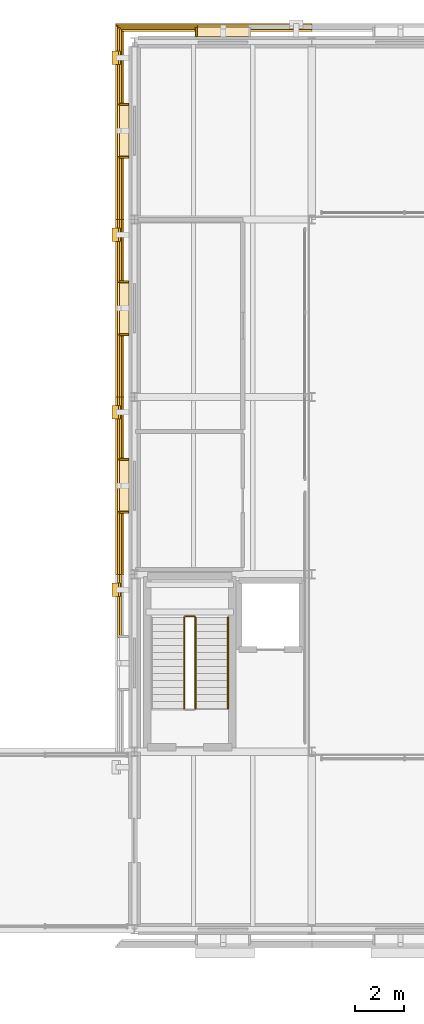
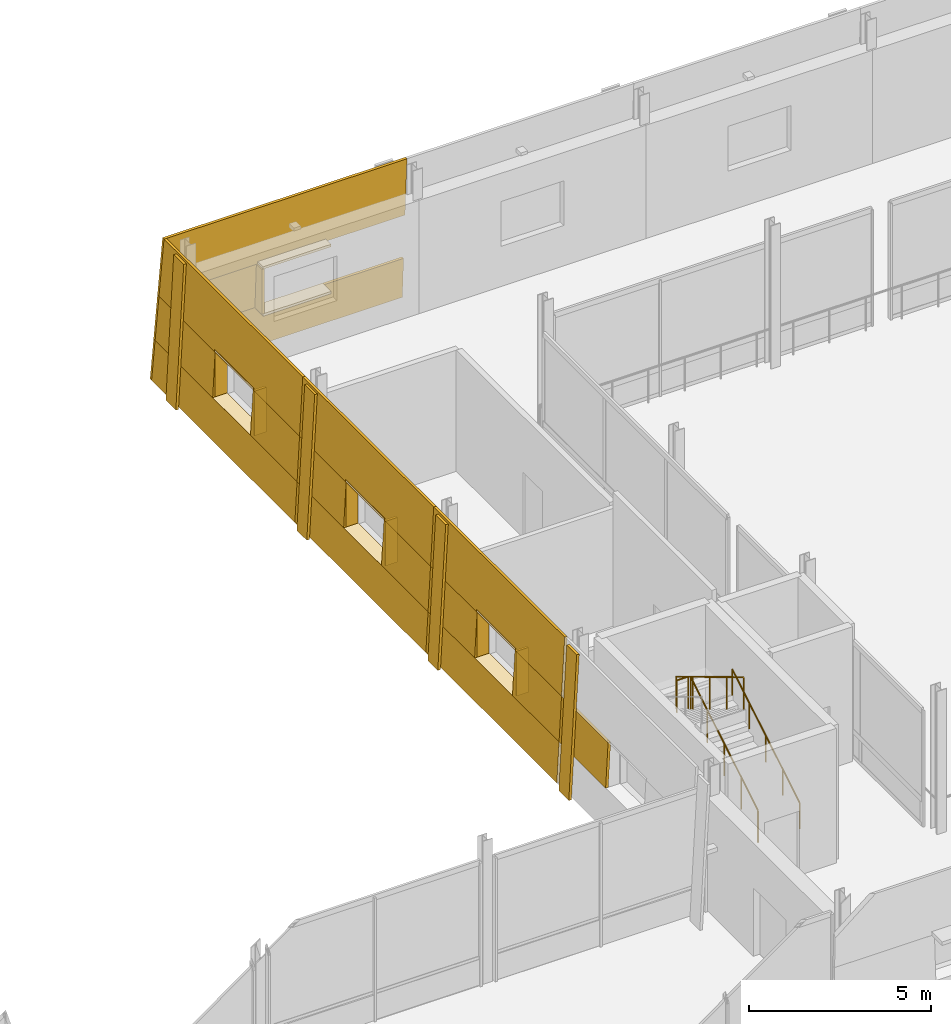
# One storey, part 115 of 121: 35 coverings, 4 railings.
"""IFC4 building model written with IfcOpenShell, lengths in metres."""

from ifc_helpers import new_model, si_unit, direction, frame, origin, origin_2d, place, context, subcontext, project, spatial, polyline, circle, outline, extrude, material, layer, layer_set, type_object, element, save


model = new_model("IFC4")

# Units and contexts
model_context = context("Model", 3, precision=1e-05, world=origin(), true_north=direction((0.0, 1.0)))
body_context = subcontext(model_context, "Body", "Model", "MODEL_VIEW")
ifc_project = project(units=[si_unit("LENGTHUNIT", "METRE"), si_unit("AREAUNIT", "SQUARE_METRE"), si_unit("VOLUMEUNIT", "CUBIC_METRE"), si_unit("PLANEANGLEUNIT", "RADIAN"), si_unit("MASSUNIT", "GRAM", prefix="KILO")], contexts=[model_context])

# Site, building, storey
site_placement = place(None, origin())
site = spatial("IfcSite", under=ifc_project, at=site_placement, CompositionType="ELEMENT")
building_placement = place(site_placement, origin())
building = spatial("IfcBuilding", under=site, at=building_placement, Name="Narikvali Park Central Library", CompositionType="ELEMENT")
storey_placement = place(building_placement, frame((0.0, 0.0, 5.39990234375)))
storey = spatial("IfcBuildingStorey", under=building, at=storey_placement, Name="L01", CompositionType="ELEMENT", Elevation=5.39990234375)

# Coverings
ifc_material_1 = material(Name="White Honed Limestone Cladding", Category="masonry")
ifc_layer_1 = layer(ifc_material_1, 0.0849609375, Name="White Honed Limestone Cladding")
ifc_layer_set_1 = layer_set([ifc_layer_1], Name="White Honed Limestone Cladding")
covering_type_1 = type_object("IfcCoveringType", Name="Battered White Limestone Facade Cladding Panel", PredefinedType="CLADDING", material=ifc_layer_set_1)
covering_1_placement = place(storey_placement, frame((129.60009765625, 115.95849609375, 0.0), z_axis=(0.0, 0.998646611858, 0.052009082137), x_axis=(-1.0, 0.0, 0.0)))
element("IfcCovering", 1, at=covering_1_placement, inside=storey, type_object=covering_type_1, Name="V3 L01 N Battered Limestone Spandrel B06", PredefinedType="CLADDING", context=body_context, shape_type="SweptSolid", body=[
    extrude(outline(polyline([(0.0, 0.0), (7.958740234375, 0.0), (7.88818359375, 1.3519273386791144), (0.0, 1.3519273386791144), (0.0, 0.0)])), origin(), (0.0, 0.0, -1.0), 0.0849609375),
])
covering_2_placement = place(storey_placement, frame((129.60009765625, 115.81005859375, 2.85009765625), z_axis=(0.0, 0.998646348793, 0.052014133104), x_axis=(-1.0, 0.0, 0.0)))
element("IfcCovering", 2, at=covering_2_placement, inside=storey, type_object=covering_type_1, Name="V3 L01 N Battered Limestone Lintel B06", PredefinedType="CLADDING", context=body_context, shape_type="SweptSolid", body=[
    extrude(outline(polyline([(0.0, 0.0), (7.81005859375, 0.0), (7.70849609375, 1.9525943035108284), (0.0, 1.9525943035108284), (0.0, 0.0)])), origin(), (0.0, 0.0, -1.0), 0.0849609375),
])
covering_3_placement = place(storey_placement, frame((124.9599609375, 115.88818359375, 1.35009765625), z_axis=(0.0, 0.998646416446, 0.05201283419), x_axis=(-1.0, 0.0, 0.0)))
element("IfcCovering", 3, at=covering_3_placement, inside=storey, type_object=covering_type_1, Name="V3 L01 N Battered Limestone Jamb Pier R B06", PredefinedType="CLADDING", context=body_context, shape_type="SweptSolid", body=[
    extrude(outline(polyline([(0.0, 0.0), (3.248046875, 0.0), (3.169921875, 1.5020331273394072), (0.0, 1.5020331273394072), (0.0, 0.0)])), origin(), (0.0, 0.0, -1.0), 0.0849609375),
])
covering_4_placement = place(storey_placement, frame((121.50146484375, 114.85009765625, 0.0), z_axis=(-0.998643804351, 0.0, 0.052062962182), x_axis=(0.0, -1.0, 0.0)))
element("IfcCovering", 4, at=covering_4_placement, inside=storey, type_object=covering_type_1, Name="V3 L01 W Classical Limestone Pilaster B01", PredefinedType="CLADDING", context=body_context, shape_type="SweptSolid", body=[
    extrude(outline(polyline([(0.0, 0.0), (0.550048828125, 0.0), (0.550048828125, 4.80656747401941), (0.0, 4.80656747401941), (0.0, 0.0)])), origin(), (0.0, 0.0, -1.0), 0.0849609375),
])
covering_5_placement = place(storey_placement, frame((121.641357421875, 115.87353515625, 0.0), z_axis=(-0.998637216249, 0.0, 0.052189178209), x_axis=(0.0, -1.0, 0.0)))
element("IfcCovering", 5, at=covering_5_placement, inside=storey, type_object=covering_type_1, Name="V3 L01 W Battered Limestone Spandrel B01", PredefinedType="CLADDING", context=body_context, shape_type="SweptSolid", body=[
    extrude(outline(polyline([(0.0, 0.0), (7.87353515625, 0.0), (7.87353515625, 1.3519400581934204), (0.0703125, 1.3519400581934204), (0.0, 0.0)])), origin(), (0.0, 0.0, -1.0), 0.0849609375),
])
covering_6_placement = place(storey_placement, frame((121.7900390625, 115.72509765625, 2.85009765625), z_axis=(-0.998646348793, 0.0, 0.052014133104), x_axis=(0.0, -1.0, 0.0)))
element("IfcCovering", 6, at=covering_6_placement, inside=storey, type_object=covering_type_1, Name="V3 L01 W Battered Limestone Lintel B01", PredefinedType="CLADDING", context=body_context, shape_type="SweptSolid", body=[
    extrude(outline(polyline([(0.0, 0.0), (7.72509765625, 0.0), (7.72509765625, 1.952594303510828), (0.101806640625, 1.952594303510828), (0.0, 0.0)])), origin(), (0.0, 0.0, -1.0), 0.0849609375),
])
covering_7_placement = place(storey_placement, frame((121.7119140625, 115.80322265625, 1.35009765625), z_axis=(-0.998646416446, 0.0, 0.05201283419), x_axis=(0.0, -1.0, 0.0)))
element("IfcCovering", 7, at=covering_7_placement, inside=storey, type_object=covering_type_1, Name="V3 L01 W Battered Limestone Jamb Pier L B01", PredefinedType="CLADDING", context=body_context, shape_type="SweptSolid", body=[
    extrude(outline(polyline([(0.0, 0.0), (3.163330078125, 0.0), (3.163330078125, 1.5020331273394074), (0.078125, 1.5020331273394074), (0.0, 0.0)])), origin(), (0.0, 0.0, -1.0), 0.0849609375),
])
covering_8_placement = place(storey_placement, frame((121.7119140625, 110.56005859375, 1.35009765625), z_axis=(-0.998646416446, 0.0, 0.05201283419), x_axis=(0.0, -1.0, 0.0)))
element("IfcCovering", 8, at=covering_8_placement, inside=storey, type_object=covering_type_1, Name="V3 L01 W Battered Limestone Jamb Pier R B01", PredefinedType="CLADDING", context=body_context, shape_type="SweptSolid", body=[
    extrude(outline(polyline([(0.0, 0.0), (2.56005859375, 0.0), (2.56005859375, 1.5020331273394072), (0.0, 1.5020331273394072), (0.0, 0.0)])), origin(), (0.0, 0.0, -1.0), 0.0849609375),
])
covering_9_placement = place(storey_placement, frame((121.50146484375, 107.64990234375, 0.0), z_axis=(-0.998643804351, 0.0, 0.052062962182), x_axis=(0.0, -1.0, 0.0)))
element("IfcCovering", 9, at=covering_9_placement, inside=storey, type_object=covering_type_1, Name="V3 L01 W Classical Limestone Pilaster B02", PredefinedType="CLADDING", context=body_context, shape_type="SweptSolid", body=[
    extrude(outline(polyline([(0.0, 0.0), (0.5498046875, 0.0), (0.5498046875, 4.806567474019411), (0.0, 4.806567474019411), (0.0, 0.0)])), origin(), (0.0, 0.0, -1.0), 0.0849609375),
])
covering_10_placement = place(storey_placement, frame((121.641357421875, 108.0, 0.0), z_axis=(-0.998637216249, 0.0, 0.052189178209), x_axis=(0.0, -1.0, 0.0)))
element("IfcCovering", 10, at=covering_10_placement, inside=storey, type_object=covering_type_1, Name="V3 L01 W Battered Limestone Spandrel B02", PredefinedType="CLADDING", context=body_context, shape_type="SweptSolid", body=[
    extrude(outline(polyline([(0.0, 0.0), (7.199951171875, 0.0), (7.199951171875, 1.3519400581934202), (0.0, 1.3519400581934202), (0.0, 0.0)])), origin(), (0.0, 0.0, -1.0), 0.0849609375),
])
covering_11_placement = place(storey_placement, frame((121.7900390625, 108.0, 2.85009765625), z_axis=(-0.998646348793, 0.0, 0.052014133104), x_axis=(0.0, -1.0, 0.0)))
element("IfcCovering", 11, at=covering_11_placement, inside=storey, type_object=covering_type_1, Name="V3 L01 W Battered Limestone Lintel B02", PredefinedType="CLADDING", context=body_context, shape_type="SweptSolid", body=[
    extrude(outline(polyline([(0.0, 0.0), (7.199951171875, 0.0), (7.199951171875, 1.9525943035108282), (0.0, 1.9525943035108282), (0.0, 0.0)])), origin(), (0.0, 0.0, -1.0), 0.0849609375),
])
for number, where, z_axis, x_axis, name in (
    (12, (121.7119140625, 108.0, 1.35009765625), (-0.998646416446, 0.0, 0.05201283419), (0.0, -1.0, 0.0), "V3 L01 W Battered Limestone Jamb Pier L B02"),
    (13, (121.7119140625, 103.360107421875, 1.35009765625), (-0.998646416446, 0.0, 0.05201283419), (0.0, -1.0, 0.0), "V3 L01 W Battered Limestone Jamb Pier R B02"),
):
    element("IfcCovering", number, at=place(storey_placement, frame(where, z_axis=z_axis, x_axis=x_axis)), inside=storey, type_object=covering_type_1, Name=name, PredefinedType="CLADDING", context=body_context, shape_type="SweptSolid", body=[
        extrude(outline(polyline([(0.0, 0.0), (2.56005859375, 0.0), (2.56005859375, 1.5020331273394072), (0.0, 1.5020331273394072), (0.0, 0.0)])), origin(), (0.0, 0.0, -1.0), 0.0849609375),
    ])
covering_12_placement = place(storey_placement, frame((121.50146484375, 100.449951171875, 0.0), z_axis=(-0.998643804351, 0.0, 0.052062962182), x_axis=(0.0, -1.0, 0.0)))
element("IfcCovering", 14, at=covering_12_placement, inside=storey, type_object=covering_type_1, Name="V3 L01 W Classical Limestone Pilaster B03", PredefinedType="CLADDING", context=body_context, shape_type="SweptSolid", body=[
    extrude(outline(polyline([(0.0, 0.0), (0.550048828125, 0.0), (0.550048828125, 4.80656747401941), (0.0, 4.80656747401941), (0.0, 0.0)])), origin(), (0.0, 0.0, -1.0), 0.0849609375),
])
covering_13_placement = place(storey_placement, frame((121.641357421875, 100.800048828125, 0.0), z_axis=(-0.998637216249, 0.0, 0.052189178209), x_axis=(0.0, -1.0, 0.0)))
element("IfcCovering", 15, at=covering_13_placement, inside=storey, type_object=covering_type_1, Name="V3 L01 W Battered Limestone Spandrel B03", PredefinedType="CLADDING", context=body_context, shape_type="SweptSolid", body=[
    extrude(outline(polyline([(0.0, 0.0), (7.199951171875, 0.0), (7.199951171875, 1.3519400581934202), (0.0, 1.3519400581934202), (0.0, 0.0)])), origin(), (0.0, 0.0, -1.0), 0.0849609375),
])
covering_14_placement = place(storey_placement, frame((121.7900390625, 100.800048828125, 2.85009765625), z_axis=(-0.998646348793, 0.0, 0.052014133104), x_axis=(0.0, -1.0, 0.0)))
element("IfcCovering", 16, at=covering_14_placement, inside=storey, type_object=covering_type_1, Name="V3 L01 W Battered Limestone Lintel B03", PredefinedType="CLADDING", context=body_context, shape_type="SweptSolid", body=[
    extrude(outline(polyline([(0.0, 0.0), (7.199951171875, 0.0), (7.199951171875, 1.9525943035108282), (0.0, 1.9525943035108282), (0.0, 0.0)])), origin(), (0.0, 0.0, -1.0), 0.0849609375),
])
covering_15_placement = place(storey_placement, frame((121.7119140625, 100.800048828125, 1.35009765625), z_axis=(-0.998646416446, 0.0, 0.05201283419), x_axis=(0.0, -1.0, 0.0)))
element("IfcCovering", 17, at=covering_15_placement, inside=storey, type_object=covering_type_1, Name="V3 L01 W Battered Limestone Jamb Pier L B03", PredefinedType="CLADDING", context=body_context, shape_type="SweptSolid", body=[
    extrude(outline(polyline([(0.0, 0.0), (2.56005859375, 0.0), (2.56005859375, 1.5020331273394072), (0.0, 1.5020331273394072), (0.0, 0.0)])), origin(), (0.0, 0.0, -1.0), 0.0849609375),
])
covering_16_placement = place(storey_placement, frame((121.7119140625, 96.159912109375, 1.35009765625), z_axis=(-0.998646416446, 0.0, 0.05201283419), x_axis=(0.0, -1.0, 0.0)))
element("IfcCovering", 18, at=covering_16_placement, inside=storey, type_object=covering_type_1, Name="V3 L01 W Battered Limestone Jamb Pier R B03", PredefinedType="CLADDING", context=body_context, shape_type="SweptSolid", body=[
    extrude(outline(polyline([(0.0, 0.0), (2.559814453125, 0.0), (2.559814453125, 1.5020331273394074), (0.0, 1.5020331273394074), (0.0, 0.0)])), origin(), (0.0, 0.0, -1.0), 0.0849609375),
])
covering_17_placement = place(storey_placement, frame((121.50146484375, 93.25, 0.0), z_axis=(-0.998643804351, 0.0, 0.052062962182), x_axis=(0.0, -1.0, 0.0)))
element("IfcCovering", 19, at=covering_17_placement, inside=storey, type_object=covering_type_1, Name="V3 L01 W Classical Limestone Pilaster B04", PredefinedType="CLADDING", context=body_context, shape_type="SweptSolid", body=[
    extrude(outline(polyline([(0.0, 0.0), (0.550048828125, 0.0), (0.550048828125, 4.80656747401941), (0.0, 4.80656747401941), (0.0, 0.0)])), origin(), (0.0, 0.0, -1.0), 0.0849609375),
])
covering_18_placement = place(storey_placement, frame((121.7119140625, 93.60009765625, 1.35009765625), z_axis=(-0.998646416446, 0.0, 0.05201283419), x_axis=(0.0, -1.0, 0.0)))
element("IfcCovering", 20, at=covering_18_placement, inside=storey, type_object=covering_type_1, Name="V3 L01 W Battered Limestone Jamb Pier L B04", PredefinedType="CLADDING", context=body_context, shape_type="SweptSolid", body=[
    extrude(outline(polyline([(0.0, 0.0), (2.56005859375, 0.0), (2.56005859375, 1.5020331273394072), (0.0, 1.5020331273394072), (0.0, 0.0)])), origin(), (0.0, 0.0, -1.0), 0.0849609375),
])
ifc_layer_2 = layer(ifc_material_1, 0.080078125, Name="White Honed Limestone Cladding")
ifc_layer_set_2 = layer_set([ifc_layer_2], Name="White Honed Limestone Cladding")
covering_type_2 = type_object("IfcCoveringType", Name="Deep Carved White Limestone Window Reveal", PredefinedType="CLADDING", material=ifc_layer_set_2)
covering_19_placement = place(storey_placement, frame((0.0, 0.0, 2.85009765625)))
element("IfcCovering", 21, at=covering_19_placement, inside=storey, type_object=covering_type_2, Name="Deep Stone Reveal Head V3-RVL-L01-N-B06", PredefinedType="CLADDING", context=body_context, shape_type="SweptSolid", body=[
    extrude(outline(polyline([(127.080078125, 115.425048828125), (124.919921875, 115.425048828125), (124.919921875, 115.81005859375), (127.080078125, 115.81005859375), (127.080078125, 115.425048828125)])), origin(), (0.0, 0.0, 1.0), 0.080078125),
])
covering_20_placement = place(storey_placement, frame((0.0, 0.0, 1.27001953125)))
element("IfcCovering", 22, at=covering_20_placement, inside=storey, type_object=covering_type_2, Name="Deep Stone Reveal Sill V3-RVL-L01-N-B06", PredefinedType="CLADDING", context=body_context, shape_type="SweptSolid", body=[
    extrude(outline(polyline([(127.080078125, 115.425048828125), (124.919921875, 115.425048828125), (124.919921875, 115.88818359375), (127.080078125, 115.88818359375), (127.080078125, 115.425048828125)])), origin(), (0.0, 0.0, 1.0), 0.080078125),
])
covering_21_placement = place(storey_placement, frame((0.0, 0.0, 1.35009765625)))
element("IfcCovering", 23, at=covering_21_placement, inside=storey, type_object=covering_type_2, Name="Deep Stone Reveal Jamb R V3-RVL-L01-N-B06", PredefinedType="CLADDING", context=body_context, shape_type="SweptSolid", body=[
    extrude(outline(polyline([(124.9599609375, 115.425048828125), (124.8798828125, 115.425048828125), (124.8798828125, 115.81005859375), (124.9599609375, 115.81005859375), (124.9599609375, 115.425048828125)])), origin(), (0.0, 0.0, 1.0), 1.5),
])
covering_22_placement = place(storey_placement, frame((0.0, 0.0, 2.85009765625)))
element("IfcCovering", 24, at=covering_22_placement, inside=storey, type_object=covering_type_2, Name="Deep Stone Reveal Head V3-RVL-L01-W-B01", PredefinedType="CLADDING", context=body_context, shape_type="SweptSolid", body=[
    extrude(outline(polyline([(122.175048828125, 112.679931640625), (122.175048828125, 110.52001953125), (121.7900390625, 110.52001953125), (121.7900390625, 112.679931640625), (122.175048828125, 112.679931640625)])), origin(), (0.0, 0.0, 1.0), 0.080078125),
])
covering_23_placement = place(storey_placement, frame((0.0, 0.0, 1.27001953125)))
element("IfcCovering", 25, at=covering_23_placement, inside=storey, type_object=covering_type_2, Name="Deep Stone Reveal Sill V3-RVL-L01-W-B01", PredefinedType="CLADDING", context=body_context, shape_type="SweptSolid", body=[
    extrude(outline(polyline([(122.175048828125, 112.679931640625), (122.175048828125, 110.52001953125), (121.7119140625, 110.52001953125), (121.7119140625, 112.679931640625), (122.175048828125, 112.679931640625)])), origin(), (0.0, 0.0, 1.0), 0.080078125),
])
covering_24_placement = place(storey_placement, frame((0.0, 0.0, 1.35009765625)))
element("IfcCovering", 26, at=covering_24_placement, inside=storey, type_object=covering_type_2, Name="Deep Stone Reveal Jamb L V3-RVL-L01-W-B01", PredefinedType="CLADDING", context=body_context, shape_type="SweptSolid", body=[
    extrude(outline(polyline([(122.175048828125, 112.719970703125), (122.175048828125, 112.639892578125), (121.7900390625, 112.639892578125), (121.7900390625, 112.719970703125), (122.175048828125, 112.719970703125)])), origin(), (0.0, 0.0, 1.0), 1.5),
])
covering_25_placement = place(storey_placement, frame((0.0, 0.0, 1.35009765625)))
element("IfcCovering", 27, at=covering_25_placement, inside=storey, type_object=covering_type_2, Name="Deep Stone Reveal Jamb R V3-RVL-L01-W-B01", PredefinedType="CLADDING", context=body_context, shape_type="SweptSolid", body=[
    extrude(outline(polyline([(122.175048828125, 110.56005859375), (122.175048828125, 110.47998046875), (121.7900390625, 110.47998046875), (121.7900390625, 110.56005859375), (122.175048828125, 110.56005859375)])), origin(), (0.0, 0.0, 1.0), 1.5),
])
covering_26_placement = place(storey_placement, frame((0.0, 0.0, 2.85009765625)))
element("IfcCovering", 28, at=covering_26_placement, inside=storey, type_object=covering_type_2, Name="Deep Stone Reveal Head V3-RVL-L01-W-B02", PredefinedType="CLADDING", context=body_context, shape_type="SweptSolid", body=[
    extrude(outline(polyline([(122.175048828125, 105.47998046875), (122.175048828125, 103.320068359375), (121.7900390625, 103.320068359375), (121.7900390625, 105.47998046875), (122.175048828125, 105.47998046875)])), origin(), (0.0, 0.0, 1.0), 0.080078125),
])
covering_27_placement = place(storey_placement, frame((0.0, 0.0, 1.27001953125)))
element("IfcCovering", 29, at=covering_27_placement, inside=storey, type_object=covering_type_2, Name="Deep Stone Reveal Sill V3-RVL-L01-W-B02", PredefinedType="CLADDING", context=body_context, shape_type="SweptSolid", body=[
    extrude(outline(polyline([(122.175048828125, 105.47998046875), (122.175048828125, 103.320068359375), (121.7119140625, 103.320068359375), (121.7119140625, 105.47998046875), (122.175048828125, 105.47998046875)])), origin(), (0.0, 0.0, 1.0), 0.080078125),
])
covering_28_placement = place(storey_placement, frame((0.0, 0.0, 1.35009765625)))
element("IfcCovering", 30, at=covering_28_placement, inside=storey, type_object=covering_type_2, Name="Deep Stone Reveal Jamb L V3-RVL-L01-W-B02", PredefinedType="CLADDING", context=body_context, shape_type="SweptSolid", body=[
    extrude(outline(polyline([(122.175048828125, 105.52001953125), (122.175048828125, 105.43994140625), (121.7900390625, 105.43994140625), (121.7900390625, 105.52001953125), (122.175048828125, 105.52001953125)])), origin(), (0.0, 0.0, 1.0), 1.5),
])
covering_29_placement = place(storey_placement, frame((0.0, 0.0, 1.35009765625)))
element("IfcCovering", 31, at=covering_29_placement, inside=storey, type_object=covering_type_2, Name="Deep Stone Reveal Jamb R V3-RVL-L01-W-B02", PredefinedType="CLADDING", context=body_context, shape_type="SweptSolid", body=[
    extrude(outline(polyline([(122.175048828125, 103.360107421875), (122.175048828125, 103.280029296875), (121.7900390625, 103.280029296875), (121.7900390625, 103.360107421875), (122.175048828125, 103.360107421875)])), origin(), (0.0, 0.0, 1.0), 1.5),
])
covering_30_placement = place(storey_placement, frame((0.0, 0.0, 2.85009765625)))
element("IfcCovering", 32, at=covering_30_placement, inside=storey, type_object=covering_type_2, Name="Deep Stone Reveal Head V3-RVL-L01-W-B03", PredefinedType="CLADDING", context=body_context, shape_type="SweptSolid", body=[
    extrude(outline(polyline([(122.175048828125, 98.280029296875), (122.175048828125, 96.1201171875), (121.7900390625, 96.1201171875), (121.7900390625, 98.280029296875), (122.175048828125, 98.280029296875)])), origin(), (0.0, 0.0, 1.0), 0.080078125),
])
covering_31_placement = place(storey_placement, frame((0.0, 0.0, 1.27001953125)))
element("IfcCovering", 33, at=covering_31_placement, inside=storey, type_object=covering_type_2, Name="Deep Stone Reveal Sill V3-RVL-L01-W-B03", PredefinedType="CLADDING", context=body_context, shape_type="SweptSolid", body=[
    extrude(outline(polyline([(122.175048828125, 98.280029296875), (122.175048828125, 96.1201171875), (121.7119140625, 96.1201171875), (121.7119140625, 98.280029296875), (122.175048828125, 98.280029296875)])), origin(), (0.0, 0.0, 1.0), 0.080078125),
])
covering_32_placement = place(storey_placement, frame((0.0, 0.0, 1.35009765625)))
element("IfcCovering", 34, at=covering_32_placement, inside=storey, type_object=covering_type_2, Name="Deep Stone Reveal Jamb L V3-RVL-L01-W-B03", PredefinedType="CLADDING", context=body_context, shape_type="SweptSolid", body=[
    extrude(outline(polyline([(122.175048828125, 98.320068359375), (122.175048828125, 98.239990234375), (121.7900390625, 98.239990234375), (121.7900390625, 98.320068359375), (122.175048828125, 98.320068359375)])), origin(), (0.0, 0.0, 1.0), 1.5),
])
covering_33_placement = place(storey_placement, frame((0.0, 0.0, 1.35009765625)))
element("IfcCovering", 35, at=covering_33_placement, inside=storey, type_object=covering_type_2, Name="Deep Stone Reveal Jamb R V3-RVL-L01-W-B03", PredefinedType="CLADDING", context=body_context, shape_type="SweptSolid", body=[
    extrude(outline(polyline([(122.175048828125, 96.159912109375), (122.175048828125, 96.080078125), (121.7900390625, 96.080078125), (121.7900390625, 96.159912109375), (122.175048828125, 96.159912109375)])), origin(), (0.0, 0.0, 1.0), 1.5),
])

# Railings
ifc_material_2 = material(Name="Brushed Stainless Steel S355", Category="steel")
ifc_layer_3 = layer(ifc_material_2, 0.044921875, Name="Brushed Stainless Steel S355")
ifc_layer_set_3 = layer_set([ifc_layer_3], Name="Brushed Stainless Steel S355")
railing_type_1 = type_object("IfcRailingType", Name="Stair Tubular Steel Handrail 900", PredefinedType="HANDRAIL", material=ifc_layer_set_3)
railing_1_placement = place(storey_placement, frame((126.199951171875, 88.14990234375, 0.171630859375)))
element("IfcRailing", 36, at=railing_1_placement, inside=storey, type_object=railing_type_1, Name="L01 ST-05 stair handrail 1", PredefinedType="HANDRAIL", context=body_context, shape_type="SweptSolid", body=[
    extrude(circle(Radius=0.02392578125, at=origin_2d()), frame((0.0, 0.0, 0.8759765625), z_axis=(0.0, 0.856934400257, 0.515425487977), x_axis=(-1.0, 0.0, 0.0)), (0.0, 0.0, 1.0), 4.32373046875),
    extrude(circle(Radius=0.02099609375, at=origin_2d()), origin(), (0.0, 0.0, 1.0), 0.851806640625),
    extrude(circle(Radius=0.02099609375, at=origin_2d()), frame((0.0, 0.92626953125, 0.55712890625)), (0.0, 0.0, 1.0), 0.851806640625),
    extrude(circle(Radius=0.02099609375, at=origin_2d()), frame((0.0, 1.8525390625, 1.1142578125)), (0.0, 0.0, 1.0), 0.851806640625),
    extrude(circle(Radius=0.02099609375, at=origin_2d()), frame((0.0, 2.77880859375, 1.67138671875)), (0.0, 0.0, 1.0), 0.851806640625),
    extrude(circle(Radius=0.02099609375, at=origin_2d()), frame((0.0, 3.705078125, 2.228515625)), (0.0, 0.0, 1.0), 0.851806640625),
])
ifc_material_3 = material(Name="Powder-Coated Steel S275", Category="steel")
ifc_layer_4 = layer(ifc_material_3, 0.050048828125, Name="Powder-Coated Steel S275")
ifc_layer_set_4 = layer_set([ifc_layer_4], Name="Powder-Coated Steel S275")
railing_type_2 = type_object("IfcRailingType", Name="Stair Well Steel Guardrail 1100", PredefinedType="GUARDRAIL", material=ifc_layer_set_4)
railing_2_placement = place(storey_placement, frame((124.8798828125, 88.14990234375, 0.171630859375)))
element("IfcRailing", 37, at=railing_2_placement, inside=storey, type_object=railing_type_2, Name="L01 ST-05 stair guard 1", PredefinedType="GUARDRAIL", context=body_context, shape_type="SweptSolid", body=[
    extrude(circle(Radius=0.02392578125, at=origin_2d()), frame((0.0, 0.0, 1.076171875), z_axis=(0.0, 0.856934400257, 0.515425487977), x_axis=(-1.0, 0.0, 0.0)), (0.0, 0.0, 1.0), 4.32373046875),
    extrude(circle(Radius=0.02099609375, at=origin_2d()), origin(), (0.0, 0.0, 1.0), 1.052001953125),
    extrude(circle(Radius=0.02099609375, at=origin_2d()), frame((0.0, 0.92626953125, 0.55712890625)), (0.0, 0.0, 1.0), 1.052001953125),
    extrude(circle(Radius=0.02099609375, at=origin_2d()), frame((0.0, 1.8525390625, 1.1142578125)), (0.0, 0.0, 1.0), 1.052001953125),
    extrude(circle(Radius=0.02099609375, at=origin_2d()), frame((0.0, 2.77880859375, 1.67138671875)), (0.0, 0.0, 1.0), 1.052001953125),
    extrude(circle(Radius=0.02099609375, at=origin_2d()), frame((0.0, 3.705078125, 2.228515625)), (0.0, 0.0, 1.0), 1.052001953125),
])
railing_3_placement = place(storey_placement, frame((124.830078125, 91.905029296875, 2.400146484375)))
element("IfcRailing", 38, at=railing_3_placement, inside=storey, type_object=railing_type_2, Name="L01 ST-05 stair guard 2", PredefinedType="GUARDRAIL", context=body_context, shape_type="SweptSolid", body=[
    extrude(circle(Radius=0.02392578125, at=origin_2d()), frame((0.0, 0.0, 1.076171875), z_axis=(-1.0, 0.0, 0.0), x_axis=(0.0, -1.0, 0.0)), (0.0, 0.0, 1.0), 0.360107421875),
    extrude(circle(Radius=0.02099609375, at=origin_2d()), origin(), (0.0, 0.0, 1.0), 1.052001953125),
    extrude(circle(Radius=0.02099609375, at=origin_2d()), frame((-0.360107421875, 0.0, 0.0)), (0.0, 0.0, 1.0), 1.052001953125),
])
railing_4_placement = place(storey_placement, frame((124.419921875, 91.85498046875, 2.571533203125)))
element("IfcRailing", 39, at=railing_4_placement, inside=storey, type_object=railing_type_2, Name="L01 ST-05 stair guard 3", PredefinedType="GUARDRAIL", context=body_context, shape_type="SweptSolid", body=[
    extrude(circle(Radius=0.02392578125, at=origin_2d()), frame((0.0, 0.0, 1.076171875), z_axis=(0.0, -0.856934400257, 0.515425487977), x_axis=(1.0, 0.0, 0.0)), (0.0, 0.0, 1.0), 4.32373046875),
    extrude(circle(Radius=0.02099609375, at=origin_2d()), origin(), (0.0, 0.0, 1.0), 1.052001953125),
    extrude(circle(Radius=0.02099609375, at=origin_2d()), frame((0.0, -0.92626953125, 0.55712890625)), (0.0, 0.0, 1.0), 1.052001953125),
    extrude(circle(Radius=0.02099609375, at=origin_2d()), frame((0.0, -1.8525390625, 1.1142578125)), (0.0, 0.0, 1.0), 1.052001953125),
    extrude(circle(Radius=0.02099609375, at=origin_2d()), frame((0.0, -2.77880859375, 1.67138671875)), (0.0, 0.0, 1.0), 1.052001953125),
    extrude(circle(Radius=0.02099609375, at=origin_2d()), frame((0.0, -3.705078125, 2.228515625)), (0.0, 0.0, 1.0), 1.052001953125),
])

save(model, "model.ifc")
